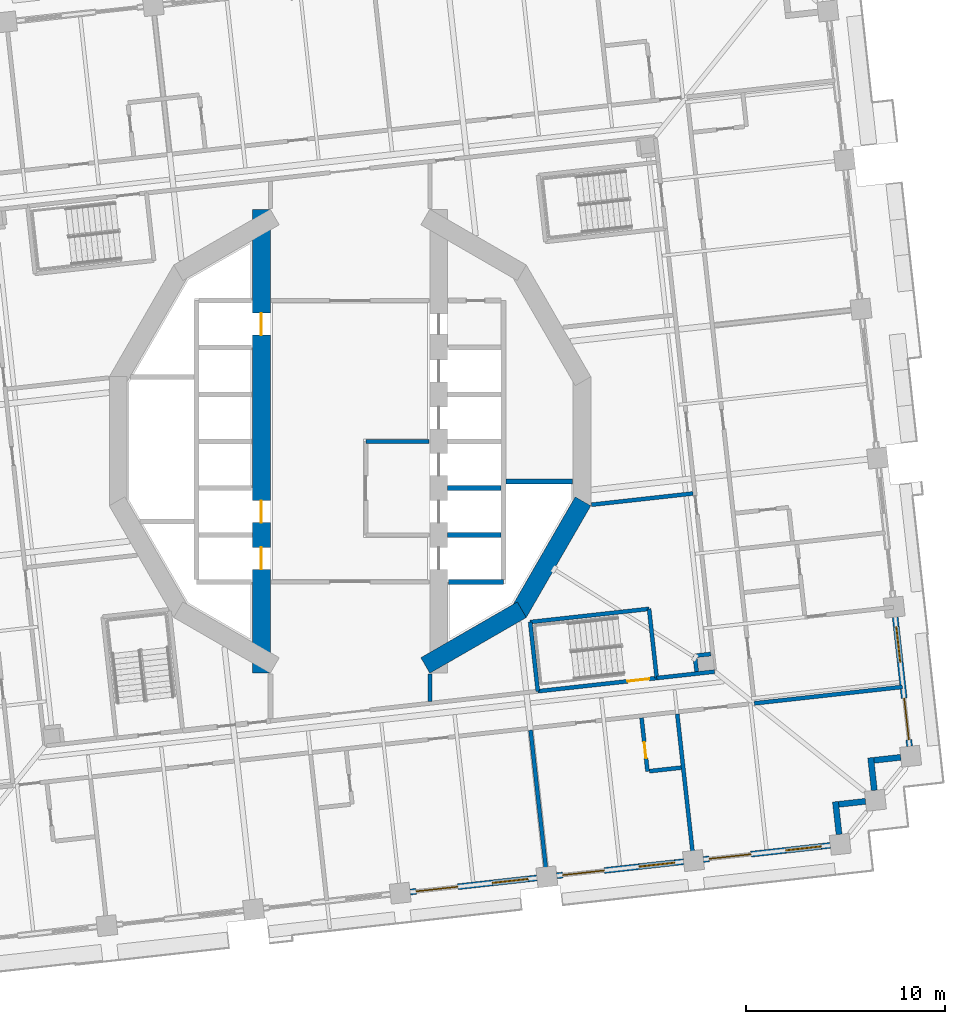
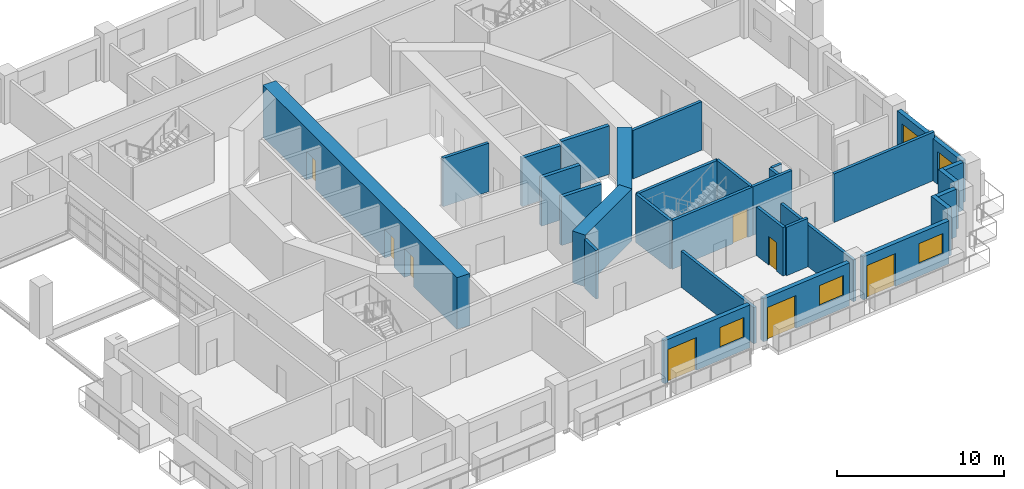
# One storey, part 9 of 21: 30 walls, 9 doors, 4 windows, 13 openings.
"""IFC4 building model written with IfcOpenShell, lengths in metres."""

from ifc_helpers import new_model, si_unit, direction, frame, frame_2d, origin, place, context, subcontext, project, spatial, rectangle, extrude, material, layer, layer_set, type_object, element, fill, save


model = new_model("IFC4")

# Units and contexts
model_context = context("Model", 3, precision=1e-05, world=origin(), true_north=direction((0.0, 1.0)))
body_context = subcontext(model_context, "Body", "Model", "MODEL_VIEW")
ifc_project = project(units=[si_unit("LENGTHUNIT", "METRE"), si_unit("AREAUNIT", "SQUARE_METRE"), si_unit("VOLUMEUNIT", "CUBIC_METRE"), si_unit("PLANEANGLEUNIT", "RADIAN"), si_unit("MASSUNIT", "GRAM", prefix="KILO")], contexts=[model_context])

# Site, building, storey
site_placement = place(None, origin())
site = spatial("IfcSite", under=ifc_project, at=site_placement, CompositionType="ELEMENT")
building_placement = place(site_placement, origin())
building = spatial("IfcBuilding", under=site, at=building_placement, Name="Cantera Rosa Tower", CompositionType="ELEMENT")
storey_placement = place(building_placement, frame((0.0, 0.0, 72.89990234375)))
storey = spatial("IfcBuildingStorey", under=building, at=storey_placement, Name="L15", CompositionType="ELEMENT", Elevation=72.89990234375)

# Walls
ifc_material_1 = material(Name="Gypsum board partition")
ifc_layer_1 = layer(ifc_material_1, 0.199951171875)
ifc_layer_set_1 = layer_set([ifc_layer_1], Name="CORRIDOR WALL 200 H3550")
wall_type_1 = type_object("IfcWallType", Name="CORRIDOR WALL 200 H3550", PredefinedType="PARTITIONING", material=ifc_layer_set_1)
wall_1_placement = place(storey_placement, frame((4.0, -13.038818359375, 0.0), z_axis=(0.0, 0.0, 1.0), x_axis=(0.0, 1.0, 0.0)))
element("IfcWall", 1, at=wall_1_placement, inside=storey, type_object=wall_type_1, Name="CORRIDOR WALL L15-063", PredefinedType="PARTITIONING", context=body_context, shape_type="SweptSolid", body=[
    extrude(rectangle(XDim=1.37158203125, YDim=0.199951171875, at=frame_2d((0.685791015625, 0.0))), origin(), (0.0, 0.0, 1.0), 3.550048828125),
])
wall_2_placement = place(storey_placement, frame((15.382080078125, -11.87548828125, 0.0), z_axis=(0.0, 0.0, 1.0), x_axis=(0.993899009794, 0.110293963256, 0.0)))
element("IfcWall", 2, at=wall_2_placement, inside=storey, type_object=wall_type_1, Name="CORRIDOR WALL L15-089", PredefinedType="PARTITIONING", context=body_context, shape_type="SweptSolid", body=[
    extrude(rectangle(XDim=2.921875, YDim=0.199951171875, at=frame_2d((1.4609375, 0.0))), origin(), (0.0, 0.0, 1.0), 3.550048828125),
])
ifc_material_2 = material(Name="Hollow clay masonry with cantera stone cladding", Category="masonry")
ifc_layer_2 = layer(ifc_material_2, 0.300048828125)
ifc_layer_set_2 = layer_set([ifc_layer_2], Name="EW-LOGGIA 300")
wall_type_2 = type_object("IfcWallType", Name="EW-LOGGIA 300", PredefinedType="SOLIDWALL", material=ifc_layer_set_2)
wall_3_placement = place(storey_placement, frame((24.5244140625, -19.71484375, 0.0), z_axis=(0.0, 0.0, 1.0), x_axis=(-0.110236638423, 0.993905369514, 0.0)))
element("IfcWall", 3, at=wall_3_placement, inside=storey, type_object=wall_type_2, Name="EN-L15-W29a", PredefinedType="SOLIDWALL", context=body_context, shape_type="SweptSolid", body=[
    extrude(rectangle(XDim=1.64990234375, YDim=0.300048828125, at=frame_2d((0.824951171875, 0.0))), origin(), (0.0, 0.0, 1.0), 3.5),
])
wall_4_placement = place(storey_placement, frame((24.508056640625, -18.20751953125, 0.0), z_axis=(0.0, 0.0, 1.0), x_axis=(0.993896959738, 0.110312435488, 0.0)))
element("IfcWall", 4, at=wall_4_placement, inside=storey, type_object=wall_type_2, Name="EN-L15-W29b", PredefinedType="SOLIDWALL", context=body_context, shape_type="SweptSolid", body=[
    extrude(rectangle(XDim=1.35009765625, YDim=0.300048828125, at=frame_2d((0.675048828125, 0.0))), origin(), (0.0, 0.0, 1.0), 3.5),
])
wall_5_placement = place(storey_placement, frame((26.291748046875, -17.506591796875, 0.0), z_axis=(0.0, 0.0, 1.0), x_axis=(-0.110382805355, 0.993889146878, 0.0)))
element("IfcWall", 5, at=wall_5_placement, inside=storey, type_object=wall_type_2, Name="EN-L15-W30a", PredefinedType="SOLIDWALL", context=body_context, shape_type="SweptSolid", body=[
    extrude(rectangle(XDim=1.64990234375, YDim=0.300048828125, at=frame_2d((0.824951171875, 0.0))), origin(), (0.0, 0.0, 1.0), 3.5),
])
wall_6_placement = place(storey_placement, frame((26.275146484375, -15.999267578125, 0.0), z_axis=(0.0, 0.0, 1.0), x_axis=(0.993896959738, 0.110312435488, 0.0)))
element("IfcWall", 6, at=wall_6_placement, inside=storey, type_object=wall_type_2, Name="EN-L15-W30b", PredefinedType="SOLIDWALL", context=body_context, shape_type="SweptSolid", body=[
    extrude(rectangle(XDim=1.35009765625, YDim=0.300048828125, at=frame_2d((0.675048828125, 0.0))), origin(), (0.0, 0.0, 1.0), 3.5),
])

# Wall, openings, window, door
ifc_material_3 = material(Name="Hollow clay masonry with cantera stone cladding", Category="masonry")
ifc_layer_3 = layer(ifc_material_3, 0.300048828125)
ifc_layer_set_3 = layer_set([ifc_layer_3], Name="EW-LOGGIA 300 H3090")
wall_type_3 = type_object("IfcWallType", Name="EW-LOGGIA 300 H3090", PredefinedType="SOLIDWALL", material=ifc_layer_set_3)
wall_7_placement = place(storey_placement, frame((28.058837890625, -15.298095703125, 0.0), z_axis=(0.0, 0.0, 1.0), x_axis=(-0.110312341265, 0.993896970196, 0.0)))
wall_7 = element("IfcWall", 7, at=wall_7_placement, inside=storey, type_object=wall_type_3, Name="EN-L15-W01", PredefinedType="SOLIDWALL", context=body_context, shape_type="SweptSolid", body=[
    extrude(rectangle(XDim=6.52001953125, YDim=0.300048828125, at=frame_2d((3.260009765625, 0.0))), origin(), (0.0, 0.0, 1.0), 3.090087890625),
])
opening_1_placement = place(wall_7_placement, frame((0.330078125, 0.0, 0.0)))
opening_1 = element("IfcOpeningElement", 8, at=opening_1_placement, cuts=wall_7, Name="Opening L15-TD01", PredefinedType="OPENING", context=body_context, shape_type="SweptSolid", body=[
    extrude(rectangle(XDim=2.10009765625, YDim=2.39990234375, at=frame_2d((1.050048828125, 1.199951171875))), frame((0.0, 0.159912109375, 0.0), z_axis=(0.0, -1.0, 0.0), x_axis=(1.0, 0.0, 0.0)), (0.0, 0.0, 1.0), 0.320068359375),
])
opening_2_placement = place(wall_7_placement, frame((4.239990234375, 0.0, 0.89990234375)))
opening_2 = element("IfcOpeningElement", 9, at=opening_2_placement, cuts=wall_7, Name="Opening L15-W02", PredefinedType="OPENING", context=body_context, shape_type="SweptSolid", body=[
    extrude(rectangle(XDim=1.800048828125, YDim=1.5, at=frame_2d((0.89990234375, 0.75))), frame((0.0, 0.159912109375, 0.0), z_axis=(0.0, -1.0, 0.0), x_axis=(1.0, 0.0, 0.0)), (0.0, 0.0, 1.0), 0.320068359375),
])
ifc_material_4 = material(Name="Aluminium frame with clear glass", Category="aluminium")
window_type = type_object("IfcWindowType", Name="Hotel room window 1800x1500", PartitioningType="DOUBLE_PANEL_VERTICAL", PredefinedType="WINDOW", material=ifc_material_4)
window_1_placement = place(opening_2_placement, origin())
window_1 = element("IfcWindow", 10, at=window_1_placement, inside=storey, type_object=window_type, Name="WINDOW L15-W02", OverallHeight=1.5, OverallWidth=1.800048828125, PartitioningType="SINGLE_PANEL", PredefinedType="WINDOW", context=body_context, shape_type="SweptSolid", body=[
    extrude(rectangle(XDim=1.800048828125, YDim=1.5, at=frame_2d((0.89990234375, 0.75))), frame((0.0, 0.030029296875, 0.0), z_axis=(0.0, -1.0, 0.0), x_axis=(1.0, 0.0, 0.0)), (0.0, 0.0, 1.0), 0.06005859375),
])
fill(opening_2, window_1)
ifc_material_5 = material(Name="Aluminium frame with clear glass", Category="aluminium")
door_type_1 = type_object("IfcDoorType", Name="TD-H 2100x2400", OperationType="NOTDEFINED", PredefinedType="DOOR", material=ifc_material_5)
door_1_placement = place(opening_1_placement, origin())
door_1 = element("IfcDoor", 11, at=door_1_placement, inside=storey, type_object=door_type_1, Name="LOGGIA DOOR L15-TD01", OperationType="SLIDING_TO_LEFT", OverallHeight=2.39990234375, OverallWidth=2.10009765625, PredefinedType="DOOR", context=body_context, shape_type="SweptSolid", body=[
    extrude(rectangle(XDim=2.10009765625, YDim=2.39990234375, at=frame_2d((1.050048828125, 1.199951171875))), frame((0.0, 0.02490234375, 0.0), z_axis=(0.0, -1.0, 0.0), x_axis=(1.0, 0.0, 0.0)), (0.0, 0.0, 1.0), 0.050048828125),
])
fill(opening_1, door_1)

ifc_material_6 = material(Name="Hollow clay masonry with cantera stone cladding", Category="masonry")
ifc_layer_4 = layer(ifc_material_6, 0.300048828125)
ifc_layer_set_4 = layer_set([ifc_layer_4], Name="EW-LOGGIA 300 H3140")
wall_type_4 = type_object("IfcWallType", Name="EW-LOGGIA 300 H3140", PredefinedType="SOLIDWALL", material=ifc_layer_set_4)
wall_8_placement = place(storey_placement, frame((3.011962890625, -22.605712890625, 0.0), z_axis=(0.0, 0.0, 1.0), x_axis=(0.993896288542, 0.110318482689, 0.0)))
wall_8 = element("IfcWall", 12, at=wall_8_placement, inside=storey, type_object=wall_type_4, Name="EN-L15-W26", PredefinedType="SOLIDWALL", context=body_context, shape_type="SweptSolid", body=[
    extrude(rectangle(XDim=6.400146484375, YDim=0.300048828125, at=frame_2d((3.2001953125, 0.0))), origin(), (0.0, 0.0, 1.0), 3.14013671875),
])
opening_3_placement = place(wall_8_placement, frame((0.300048828125, 0.0, 0.0)))
opening_3 = element("IfcOpeningElement", 13, at=opening_3_placement, cuts=wall_8, Name="Opening L15-TD35", PredefinedType="OPENING", context=body_context, shape_type="SweptSolid", body=[
    extrude(rectangle(XDim=2.10009765625, YDim=2.39990234375, at=frame_2d((1.050048828125, 1.199951171875))), frame((0.0, 0.159912109375, 0.0), z_axis=(0.0, -1.0, 0.0), x_axis=(1.0, 0.0, 0.0)), (0.0, 0.0, 1.0), 0.320068359375),
])
opening_4_placement = place(wall_8_placement, frame((4.14990234375, 0.0, 0.89990234375)))
opening_4 = element("IfcOpeningElement", 14, at=opening_4_placement, cuts=wall_8, Name="Opening L15-W36", PredefinedType="OPENING", context=body_context, shape_type="SweptSolid", body=[
    extrude(rectangle(XDim=1.800048828125, YDim=1.5, at=frame_2d((0.89990234375, 0.75))), frame((0.0, 0.159912109375, 0.0), z_axis=(0.0, -1.0, 0.0), x_axis=(1.0, 0.0, 0.0)), (0.0, 0.0, 1.0), 0.320068359375),
])
window_2_placement = place(opening_4_placement, origin())
window_2 = element("IfcWindow", 15, at=window_2_placement, inside=storey, type_object=window_type, Name="WINDOW L15-W36", OverallHeight=1.5, OverallWidth=1.800048828125, PartitioningType="SINGLE_PANEL", PredefinedType="WINDOW", context=body_context, shape_type="SweptSolid", body=[
    extrude(rectangle(XDim=1.800048828125, YDim=1.5, at=frame_2d((0.89990234375, 0.75))), frame((0.0, 0.030029296875, 0.0), z_axis=(0.0, -1.0, 0.0), x_axis=(1.0, 0.0, 0.0)), (0.0, 0.0, 1.0), 0.06005859375),
])
fill(opening_4, window_2)
door_2_placement = place(opening_3_placement, origin())
door_2 = element("IfcDoor", 16, at=door_2_placement, inside=storey, type_object=door_type_1, Name="LOGGIA DOOR L15-TD35", OperationType="SLIDING_TO_LEFT", OverallHeight=2.39990234375, OverallWidth=2.10009765625, PredefinedType="DOOR", context=body_context, shape_type="SweptSolid", body=[
    extrude(rectangle(XDim=2.10009765625, YDim=2.39990234375, at=frame_2d((1.050048828125, 1.199951171875))), frame((0.0, 0.02490234375, 0.0), z_axis=(0.0, -1.0, 0.0), x_axis=(1.0, 0.0, 0.0)), (0.0, 0.0, 1.0), 0.050048828125),
])
fill(opening_3, door_2)

wall_9_placement = place(storey_placement, frame((10.366943359375, -21.789306640625, 0.0), z_axis=(0.0, 0.0, 1.0), x_axis=(0.993900006422, 0.110284981906, 0.0)))
wall_9 = element("IfcWall", 17, at=wall_9_placement, inside=storey, type_object=wall_type_4, Name="EN-L15-W27", PredefinedType="SOLIDWALL", context=body_context, shape_type="SweptSolid", body=[
    extrude(rectangle(XDim=6.39990234375, YDim=0.300048828125, at=frame_2d((3.199951171875, 0.0))), origin(), (0.0, 0.0, 1.0), 3.14013671875),
])
opening_5_placement = place(wall_9_placement, frame((0.300048828125, 0.0, 0.0)))
opening_5 = element("IfcOpeningElement", 18, at=opening_5_placement, cuts=wall_9, Name="Opening L15-TD37", PredefinedType="OPENING", context=body_context, shape_type="SweptSolid", body=[
    extrude(rectangle(XDim=2.10009765625, YDim=2.39990234375, at=frame_2d((1.050048828125, 1.199951171875))), frame((0.0, 0.159912109375, 0.0), z_axis=(0.0, -1.0, 0.0), x_axis=(1.0, 0.0, 0.0)), (0.0, 0.0, 1.0), 0.320068359375),
])
opening_6_placement = place(wall_9_placement, frame((4.14990234375, 0.0, 0.89990234375)))
opening_6 = element("IfcOpeningElement", 19, at=opening_6_placement, cuts=wall_9, Name="Opening L15-W38", PredefinedType="OPENING", context=body_context, shape_type="SweptSolid", body=[
    extrude(rectangle(XDim=1.800048828125, YDim=1.5, at=frame_2d((0.89990234375, 0.75))), frame((0.0, 0.159912109375, 0.0), z_axis=(0.0, -1.0, 0.0), x_axis=(1.0, 0.0, 0.0)), (0.0, 0.0, 1.0), 0.320068359375),
])
window_3_placement = place(opening_6_placement, origin())
window_3 = element("IfcWindow", 20, at=window_3_placement, inside=storey, type_object=window_type, Name="WINDOW L15-W38", OverallHeight=1.5, OverallWidth=1.800048828125, PartitioningType="SINGLE_PANEL", PredefinedType="WINDOW", context=body_context, shape_type="SweptSolid", body=[
    extrude(rectangle(XDim=1.800048828125, YDim=1.5, at=frame_2d((0.89990234375, 0.75))), frame((0.0, 0.030029296875, 0.0), z_axis=(0.0, -1.0, 0.0), x_axis=(1.0, 0.0, 0.0)), (0.0, 0.0, 1.0), 0.06005859375),
])
fill(opening_6, window_3)
door_3_placement = place(opening_5_placement, origin())
door_3 = element("IfcDoor", 21, at=door_3_placement, inside=storey, type_object=door_type_1, Name="LOGGIA DOOR L15-TD37", OperationType="SLIDING_TO_LEFT", OverallHeight=2.39990234375, OverallWidth=2.10009765625, PredefinedType="DOOR", context=body_context, shape_type="SweptSolid", body=[
    extrude(rectangle(XDim=2.10009765625, YDim=2.39990234375, at=frame_2d((1.050048828125, 1.199951171875))), frame((0.0, 0.02490234375, 0.0), z_axis=(0.0, -1.0, 0.0), x_axis=(1.0, 0.0, 0.0)), (0.0, 0.0, 1.0), 0.050048828125),
])
fill(opening_5, door_3)

wall_10_placement = place(storey_placement, frame((17.7216796875, -20.97314453125, 0.0), z_axis=(0.0, 0.0, 1.0), x_axis=(0.993896288542, 0.110318482689, 0.0)))
wall_10 = element("IfcWall", 22, at=wall_10_placement, inside=storey, type_object=wall_type_4, Name="EN-L15-W28", PredefinedType="SOLIDWALL", context=body_context, shape_type="SweptSolid", body=[
    extrude(rectangle(XDim=6.400146484375, YDim=0.300048828125, at=frame_2d((3.2001953125, 0.0))), origin(), (0.0, 0.0, 1.0), 3.14013671875),
])
opening_7_placement = place(wall_10_placement, frame((0.300048828125, 0.0, 0.0)))
opening_7 = element("IfcOpeningElement", 23, at=opening_7_placement, cuts=wall_10, Name="Opening L15-TD39", PredefinedType="OPENING", context=body_context, shape_type="SweptSolid", body=[
    extrude(rectangle(XDim=2.10009765625, YDim=2.39990234375, at=frame_2d((1.050048828125, 1.199951171875))), frame((0.0, 0.159912109375, 0.0), z_axis=(0.0, -1.0, 0.0), x_axis=(1.0, 0.0, 0.0)), (0.0, 0.0, 1.0), 0.320068359375),
])
opening_8_placement = place(wall_10_placement, frame((4.14990234375, 0.0, 0.89990234375)))
opening_8 = element("IfcOpeningElement", 24, at=opening_8_placement, cuts=wall_10, Name="Opening L15-W40", PredefinedType="OPENING", context=body_context, shape_type="SweptSolid", body=[
    extrude(rectangle(XDim=1.800048828125, YDim=1.5, at=frame_2d((0.89990234375, 0.75))), frame((0.0, 0.159912109375, 0.0), z_axis=(0.0, -1.0, 0.0), x_axis=(1.0, 0.0, 0.0)), (0.0, 0.0, 1.0), 0.320068359375),
])
window_4_placement = place(opening_8_placement, origin())
window_4 = element("IfcWindow", 25, at=window_4_placement, inside=storey, type_object=window_type, Name="WINDOW L15-W40", OverallHeight=1.5, OverallWidth=1.800048828125, PartitioningType="SINGLE_PANEL", PredefinedType="WINDOW", context=body_context, shape_type="SweptSolid", body=[
    extrude(rectangle(XDim=1.800048828125, YDim=1.5, at=frame_2d((0.89990234375, 0.75))), frame((0.0, 0.030029296875, 0.0), z_axis=(0.0, -1.0, 0.0), x_axis=(1.0, 0.0, 0.0)), (0.0, 0.0, 1.0), 0.06005859375),
])
fill(opening_8, window_4)
door_4_placement = place(opening_7_placement, origin())
door_4 = element("IfcDoor", 26, at=door_4_placement, inside=storey, type_object=door_type_1, Name="LOGGIA DOOR L15-TD39", OperationType="SLIDING_TO_LEFT", OverallHeight=2.39990234375, OverallWidth=2.10009765625, PredefinedType="DOOR", context=body_context, shape_type="SweptSolid", body=[
    extrude(rectangle(XDim=2.10009765625, YDim=2.39990234375, at=frame_2d((1.050048828125, 1.199951171875))), frame((0.0, 0.02490234375, 0.0), z_axis=(0.0, -1.0, 0.0), x_axis=(1.0, 0.0, 0.0)), (0.0, 0.0, 1.0), 0.050048828125),
])
fill(opening_7, door_4)

# Wall, opening, door
ifc_material_7 = material(Name="Gypsum board partition")
ifc_layer_5 = layer(ifc_material_7, 0.199951171875)
ifc_layer_set_5 = layer_set([ifc_layer_5], Name="PARTITION 200 H3550")
wall_type_5 = type_object("IfcWallType", Name="PARTITION 200 H3550", PredefinedType="PARTITIONING", material=ifc_layer_set_5)
wall_11_placement = place(storey_placement, frame((14.917236328125, -16.555419921875, 0.0), z_axis=(0.0, 0.0, 1.0), x_axis=(-0.110312435488, 0.993896959738, 0.0)))
wall_11 = element("IfcWall", 27, at=wall_11_placement, inside=storey, type_object=wall_type_5, Name="PARTITION L15-085", PredefinedType="PARTITIONING", context=body_context, shape_type="SweptSolid", body=[
    extrude(rectangle(XDim=2.699951171875, YDim=0.199951171875, at=frame_2d((1.35009765625, 0.0))), origin(), (0.0, 0.0, 1.0), 3.550048828125),
])
opening_9_placement = place(wall_11_placement, frame((0.6640625, 0.0, 0.0)))
opening_9 = element("IfcOpeningElement", 28, at=opening_9_placement, cuts=wall_11, Name="Opening L15-041", PredefinedType="OPENING", context=body_context, shape_type="SweptSolid", body=[
    extrude(rectangle(XDim=0.800048828125, YDim=2.10009765625, at=frame_2d((0.39990234375, 1.050048828125))), frame((0.0, 0.10986328125, 0.0), z_axis=(0.0, -1.0, 0.0), x_axis=(1.0, 0.0, 0.0)), (0.0, 0.0, 1.0), 0.219970703125),
])
ifc_material_8 = material(Name="Timber door leaf", Category="wood")
door_type_2 = type_object("IfcDoorType", Name="BATHROOM DOOR 800x2100", OperationType="NOTDEFINED", PredefinedType="DOOR", material=ifc_material_8)
door_5_placement = place(opening_9_placement, origin())
door_5 = element("IfcDoor", 29, at=door_5_placement, inside=storey, type_object=door_type_2, Name="DOOR L15-041", OperationType="NOTDEFINED", OverallHeight=2.10009765625, OverallWidth=0.800048828125, PredefinedType="DOOR", context=body_context, shape_type="SweptSolid", body=[
    extrude(rectangle(XDim=0.800048828125, YDim=2.10009765625, at=frame_2d((0.39990234375, 1.050048828125))), frame((0.0, 0.02490234375, 0.0), z_axis=(0.0, -1.0, 0.0), x_axis=(1.0, 0.0, 0.0)), (0.0, 0.0, 1.0), 0.050048828125),
])
fill(opening_9, door_5)

# Walls
wall_12_placement = place(storey_placement, frame((16.60693359375, -16.367919921875, 0.0), z_axis=(0.0, 0.0, 1.0), x_axis=(-0.99389675276, -0.110314300314, 0.0)))
element("IfcWall", 30, at=wall_12_placement, inside=storey, type_object=wall_type_5, Name="PARTITION L15-094", PredefinedType="PARTITIONING", context=body_context, shape_type="SweptSolid", body=[
    extrude(rectangle(XDim=1.60009765625, YDim=0.199951171875, at=frame_2d((0.800048828125, 0.0))), origin(), (0.0, 0.0, 1.0), 3.550048828125),
])
wall_13_placement = place(storey_placement, frame((17.292236328125, -10.758056640625, 0.0), z_axis=(0.0, 0.0, 1.0), x_axis=(0.110465018303, -0.993880012744, 0.0)))
element("IfcWall", 31, at=wall_13_placement, inside=storey, type_object=wall_type_5, Name="PARTITION L15-097", PredefinedType="PARTITIONING", context=body_context, shape_type="SweptSolid", body=[
    extrude(rectangle(XDim=0.800048828125, YDim=0.199951171875, at=frame_2d((0.39990234375, 0.0))), origin(), (0.0, 0.0, 1.0), 3.550048828125),
])
wall_14_placement = place(storey_placement, frame((17.19384765625, -2.619384765625, 0.0), z_axis=(0.0, 0.0, 1.0), x_axis=(-0.993901744429, -0.110269317674, 0.0)))
element("IfcWall", 32, at=wall_14_placement, inside=storey, type_object=wall_type_5, Name="PARTITION L15-098", PredefinedType="PARTITIONING", context=body_context, shape_type="SweptSolid", body=[
    extrude(rectangle(XDim=5.12109375, YDim=0.199951171875, at=frame_2d((2.560546875, 0.0))), origin(), (0.0, 0.0, 1.0), 3.550048828125),
])
wall_15_placement = place(storey_placement, frame((18.08740234375, -10.669921875, 0.0), z_axis=(0.0, 0.0, 1.0), x_axis=(-0.993909225707, -0.110201865026, 0.0)))
element("IfcWall", 33, at=wall_15_placement, inside=storey, type_object=wall_type_5, Name="PARTITION L15-100", PredefinedType="PARTITIONING", context=body_context, shape_type="SweptSolid", body=[
    extrude(rectangle(XDim=0.699951171875, YDim=0.199951171875, at=frame_2d((0.35009765625, 0.0))), origin(), (0.0, 0.0, 1.0), 3.550048828125),
])
ifc_material_9 = material(Name="Gypsum board partition")
ifc_layer_6 = layer(ifc_material_9, 0.199951171875)
ifc_layer_set_6 = layer_set([ifc_layer_6], Name="PARTY WALL 200 H2650")
wall_type_6 = type_object("IfcWallType", Name="PARTY WALL 200 H2650", PredefinedType="PARTITIONING", material=ifc_layer_set_6)
wall_16_placement = place(storey_placement, frame((9.0537109375, -14.48974609375, 0.0), z_axis=(0.0, 0.0, 1.0), x_axis=(0.11031154238, -0.993897058864, 0.0)))
element("IfcWall", 34, at=wall_16_placement, inside=storey, type_object=wall_type_6, Name="PARTY WALL L15-075", PredefinedType="PARTITIONING", context=body_context, shape_type="SweptSolid", body=[
    extrude(rectangle(XDim=7.369873046875, YDim=0.199951171875, at=frame_2d((3.68505859375, 0.0))), origin(), (0.0, 0.0, 1.0), 2.650146484375),
])
ifc_material_10 = material(Name="Gypsum board partition")
ifc_layer_7 = layer(ifc_material_10, 0.199951171875)
ifc_layer_set_7 = layer_set([ifc_layer_7], Name="PARTY WALL 200 H3050")
wall_type_7 = type_object("IfcWallType", Name="PARTY WALL 200 H3050", PredefinedType="PARTITIONING", material=ifc_layer_set_7)
wall_17_placement = place(storey_placement, frame((16.408447265625, -13.67333984375, 0.0), z_axis=(0.0, 0.0, 1.0), x_axis=(0.11031154238, -0.993897058864, 0.0)))
element("IfcWall", 35, at=wall_17_placement, inside=storey, type_object=wall_type_7, Name="PARTY WALL L15-093", PredefinedType="PARTITIONING", context=body_context, shape_type="SweptSolid", body=[
    extrude(rectangle(XDim=7.369873046875, YDim=0.199951171875, at=frame_2d((3.68505859375, 0.0))), origin(), (0.0, 0.0, 1.0), 3.050048828125),
])
ifc_material_11 = material(Name="Gypsum board partition")
ifc_layer_8 = layer(ifc_material_11, 0.199951171875)
ifc_layer_set_8 = layer_set([ifc_layer_8], Name="PARTY WALL 200 H3550")
wall_type_8 = type_object("IfcWallType", Name="PARTY WALL 200 H3550", PredefinedType="PARTITIONING", material=ifc_layer_set_8)
wall_18_placement = place(storey_placement, frame((27.697998046875, -12.319580078125, 0.0), z_axis=(0.0, 0.0, 1.0), x_axis=(-0.993894093242, -0.110338259085, 0.0)))
element("IfcWall", 36, at=wall_18_placement, inside=storey, type_object=wall_type_8, Name="PARTY WALL L15-111", PredefinedType="PARTITIONING", context=body_context, shape_type="SweptSolid", body=[
    extrude(rectangle(XDim=7.469970703125, YDim=0.199951171875, at=frame_2d((3.73486328125, 0.0))), origin(), (0.0, 0.0, 1.0), 3.550048828125),
])

# Wall, openings, doors
ifc_material_12 = material(Name="Concrete C70/85", Category="concrete")
ifc_layer_9 = layer(ifc_material_12, 0.89990234375)
ifc_layer_set_9 = layer_set([ifc_layer_9], Name="RC CORE WALL 900 C70/85")
wall_type_9 = type_object("IfcWallType", Name="RC CORE WALL 900 C70/85", PredefinedType="SHEAR", material=ifc_layer_set_9)
wall_19_placement = place(storey_placement, frame((-4.449951171875, 11.632568359375, 0.0), z_axis=(0.0, 0.0, 1.0), x_axis=(0.0, -1.0, 0.0)))
wall_19 = element("IfcWall", 37, at=wall_19_placement, inside=storey, type_object=wall_type_9, Name="CW-W6 L15", PredefinedType="SHEAR", context=body_context, shape_type="SweptSolid", body=[
    extrude(rectangle(XDim=23.26513671875, YDim=0.89990234375, at=frame_2d((11.632568359375, 0.0))), origin(), (0.0, 0.0, 1.0), 3.800048828125),
])
opening_10_placement = place(wall_19_placement, frame((14.607421875, 0.0, 0.0)))
opening_10 = element("IfcOpeningElement", 38, at=opening_10_placement, cuts=wall_19, Name="Opening LD-P3-L15", PredefinedType="OPENING", context=body_context, shape_type="SweptSolid", body=[
    extrude(rectangle(XDim=1.10009765625, YDim=2.10009765625, at=frame_2d((0.550048828125, 1.050048828125))), frame((0.0, 0.4599609375, 0.0), z_axis=(0.0, -1.0, 0.0), x_axis=(1.0, 0.0, 0.0)), (0.0, 0.0, 1.0), 0.919921875),
])
opening_11_placement = place(wall_19_placement, frame((16.95751953125, 0.0, 0.0)))
opening_11 = element("IfcOpeningElement", 39, at=opening_11_placement, cuts=wall_19, Name="Opening LD-P4-L15", PredefinedType="OPENING", context=body_context, shape_type="SweptSolid", body=[
    extrude(rectangle(XDim=1.10009765625, YDim=2.10009765625, at=frame_2d((0.550048828125, 1.050048828125))), frame((0.0, 0.4599609375, 0.0), z_axis=(0.0, -1.0, 0.0), x_axis=(1.0, 0.0, 0.0)), (0.0, 0.0, 1.0), 0.919921875),
])
opening_12_placement = place(wall_19_placement, frame((5.20751953125, 0.0, 0.0)))
opening_12 = element("IfcOpeningElement", 40, at=opening_12_placement, cuts=wall_19, Name="Opening LD-P5-L15", PredefinedType="OPENING", context=body_context, shape_type="SweptSolid", body=[
    extrude(rectangle(XDim=1.10009765625, YDim=2.10009765625, at=frame_2d((0.550048828125, 1.050048828125))), frame((0.0, 0.4599609375, 0.0), z_axis=(0.0, -1.0, 0.0), x_axis=(1.0, 0.0, 0.0)), (0.0, 0.0, 1.0), 0.919921875),
])
ifc_material_13 = material(Name="Steel S355J2 (EN 10025-2)", Category="steel")
door_type_3 = type_object("IfcDoorType", Name="LANDING DOOR 1100x2100", OperationType="NOTDEFINED", PredefinedType="DOOR", material=ifc_material_13)
door_6_placement = place(opening_10_placement, origin())
door_6 = element("IfcDoor", 41, at=door_6_placement, inside=storey, type_object=door_type_3, Name="LANDING DOOR P3 L15", OperationType="SLIDING_TO_LEFT", OverallHeight=2.10009765625, OverallWidth=1.10009765625, PredefinedType="DOOR", context=body_context, shape_type="SweptSolid", body=[
    extrude(rectangle(XDim=1.10009765625, YDim=2.10009765625, at=frame_2d((0.550048828125, 1.050048828125))), frame((0.0, 0.02490234375, 0.0), z_axis=(0.0, -1.0, 0.0), x_axis=(1.0, 0.0, 0.0)), (0.0, 0.0, 1.0), 0.050048828125),
])
fill(opening_10, door_6)
door_7_placement = place(opening_11_placement, origin())
door_7 = element("IfcDoor", 42, at=door_7_placement, inside=storey, type_object=door_type_3, Name="LANDING DOOR P4 L15", OperationType="SLIDING_TO_LEFT", OverallHeight=2.10009765625, OverallWidth=1.10009765625, PredefinedType="DOOR", context=body_context, shape_type="SweptSolid", body=[
    extrude(rectangle(XDim=1.10009765625, YDim=2.10009765625, at=frame_2d((0.550048828125, 1.050048828125))), frame((0.0, 0.02490234375, 0.0), z_axis=(0.0, -1.0, 0.0), x_axis=(1.0, 0.0, 0.0)), (0.0, 0.0, 1.0), 0.050048828125),
])
fill(opening_11, door_7)
door_8_placement = place(opening_12_placement, origin())
door_8 = element("IfcDoor", 43, at=door_8_placement, inside=storey, type_object=door_type_3, Name="LANDING DOOR P5 L15", OperationType="SLIDING_TO_LEFT", OverallHeight=2.10009765625, OverallWidth=1.10009765625, PredefinedType="DOOR", context=body_context, shape_type="SweptSolid", body=[
    extrude(rectangle(XDim=1.10009765625, YDim=2.10009765625, at=frame_2d((0.550048828125, 1.050048828125))), frame((0.0, 0.02490234375, 0.0), z_axis=(0.0, -1.0, 0.0), x_axis=(1.0, 0.0, 0.0)), (0.0, 0.0, 1.0), 0.050048828125),
])
fill(opening_12, door_8)

# Walls
wall_20_placement = place(storey_placement, frame((11.684326171875, -3.01025390625, 0.0), z_axis=(0.0, 0.0, 1.0), x_axis=(-0.499990282633, -0.866031014036, 0.0)))
element("IfcWall", 44, at=wall_20_placement, inside=storey, type_object=wall_type_9, Name="CW-E4 L15", PredefinedType="SHEAR", context=body_context, shape_type="SweptSolid", body=[
    extrude(rectangle(XDim=6.470458984375, YDim=0.89990234375, at=frame_2d((3.2353515625, 0.0))), origin(), (0.0, 0.0, 1.0), 3.800048828125),
])
wall_21_placement = place(storey_placement, frame((8.61376953125, -8.44921875, 0.0), z_axis=(0.0, 0.0, 1.0), x_axis=(-0.866026961591, -0.49999730179, 0.0)))
element("IfcWall", 45, at=wall_21_placement, inside=storey, type_object=wall_type_9, Name="CW-E5 L15", PredefinedType="SHEAR", context=body_context, shape_type="SweptSolid", body=[
    extrude(rectangle(XDim=5.58740234375, YDim=0.89990234375, at=frame_2d((2.793701171875, 0.0))), origin(), (0.0, 0.0, 1.0), 3.800048828125),
])
ifc_material_14 = material(Name="Masonry blockwork", Category="masonry")
ifc_layer_10 = layer(ifc_material_14, 0.25)
ifc_layer_set_10 = layer_set([ifc_layer_10], Name="SHAFT WALL 250 H3550")
wall_type_10 = type_object("IfcWallType", Name="SHAFT WALL 250 H3550", PredefinedType="SOLIDWALL", material=ifc_layer_set_10)
wall_22_placement = place(storey_placement, frame((4.89990234375, -4.699951171875, 0.0), z_axis=(0.0, 0.0, 1.0), x_axis=(1.0, 0.0, 0.0)))
element("IfcWall", 46, at=wall_22_placement, inside=storey, type_object=wall_type_10, Name="SHAFT WALL L15-065", PredefinedType="SOLIDWALL", context=body_context, shape_type="SweptSolid", body=[
    extrude(rectangle(XDim=2.675048828125, YDim=0.25, at=frame_2d((1.33740234375, 0.0))), origin(), (0.0, 0.0, 1.0), 3.550048828125),
])
wall_23_placement = place(storey_placement, frame((4.929931640625, -7.050048828125, 0.0), z_axis=(0.0, 0.0, 1.0), x_axis=(1.0, 0.0, 0.0)))
element("IfcWall", 47, at=wall_23_placement, inside=storey, type_object=wall_type_10, Name="SHAFT WALL L15-067", PredefinedType="SOLIDWALL", context=body_context, shape_type="SweptSolid", body=[
    extrude(rectangle(XDim=2.77001953125, YDim=0.25, at=frame_2d((1.385009765625, 0.0))), origin(), (0.0, 0.0, 1.0), 3.550048828125),
])
wall_24_placement = place(storey_placement, frame((7.574951171875, -2.35009765625, 0.0), z_axis=(0.0, 0.0, 1.0), x_axis=(-1.0, 0.0, 0.0)))
element("IfcWall", 48, at=wall_24_placement, inside=storey, type_object=wall_type_10, Name="SHAFT WALL L15-069", PredefinedType="SOLIDWALL", context=body_context, shape_type="SweptSolid", body=[
    extrude(rectangle(XDim=2.675048828125, YDim=0.25, at=frame_2d((1.33740234375, 0.0))), origin(), (0.0, 0.0, 1.0), 3.550048828125),
])
wall_25_placement = place(storey_placement, frame((7.824951171875, -2.0146484375, 0.0), z_axis=(0.0, 0.0, 1.0), x_axis=(1.0, 0.0, 0.0)))
element("IfcWall", 49, at=wall_25_placement, inside=storey, type_object=wall_type_10, Name="SHAFT WALL L15-070", PredefinedType="SOLIDWALL", context=body_context, shape_type="SweptSolid", body=[
    extrude(rectangle(XDim=3.319091796875, YDim=0.25, at=frame_2d((1.65966796875, 0.0))), origin(), (0.0, 0.0, 1.0), 3.550048828125),
])
ifc_material_15 = material(Name="Concrete C50/60", Category="concrete")
ifc_layer_11 = layer(ifc_material_15, 0.199951171875)
ifc_layer_set_11 = layer_set([ifc_layer_11], Name="STAIR WALL 200 H3550")
wall_type_11 = type_object("IfcWallType", Name="STAIR WALL 200 H3550", PredefinedType="SOLIDWALL", material=ifc_layer_set_11)
wall_26_placement = place(storey_placement, frame((0.800048828125, 0.0, 0.0), z_axis=(0.0, 0.0, 1.0), x_axis=(1.0, 0.0, 0.0)))
element("IfcWall", 50, at=wall_26_placement, inside=storey, type_object=wall_type_11, Name="STAIR WALL L15-059", PredefinedType="SOLIDWALL", context=body_context, shape_type="SweptSolid", body=[
    extrude(rectangle(XDim=3.169921875, YDim=0.199951171875, at=frame_2d((1.5849609375, 0.0))), origin(), (0.0, 0.0, 1.0), 3.550048828125),
])
wall_27_placement = place(storey_placement, frame((9.033447265625, -9.066162109375, 0.0), z_axis=(0.0, 0.0, 1.0), x_axis=(0.11030110325, -0.993898217436, 0.0)))
element("IfcWall", 51, at=wall_27_placement, inside=storey, type_object=wall_type_11, Name="STAIR WALL L15-074", PredefinedType="SOLIDWALL", context=body_context, shape_type="SweptSolid", body=[
    extrude(rectangle(XDim=3.49267578125, YDim=0.199951171875, at=frame_2d((1.746337890625, 0.0))), origin(), (0.0, 0.0, 1.0), 3.550048828125),
])

# Wall, opening, door
wall_28_placement = place(storey_placement, frame((9.418701171875, -12.53759765625, 0.0), z_axis=(0.0, 0.0, 1.0), x_axis=(0.993892663362, 0.110351138256, 0.0)))
wall_28 = element("IfcWall", 52, at=wall_28_placement, inside=storey, type_object=wall_type_11, Name="STAIR WALL L15-076", PredefinedType="SOLIDWALL", context=body_context, shape_type="SweptSolid", body=[
    extrude(rectangle(XDim=6.0, YDim=0.199951171875, at=frame_2d((3.0, 0.0))), origin(), (0.0, 0.0, 1.0), 3.550048828125),
])
opening_13_placement = place(wall_28_placement, frame((4.52490234375, 0.0, 0.0)))
opening_13 = element("IfcOpeningElement", 53, at=opening_13_placement, cuts=wall_28, Name="Opening L15-004", PredefinedType="OPENING", context=body_context, shape_type="SweptSolid", body=[
    extrude(rectangle(XDim=1.10009765625, YDim=2.10009765625, at=frame_2d((0.550048828125, 1.050048828125))), frame((0.0, 0.10986328125, 0.0), z_axis=(0.0, -1.0, 0.0), x_axis=(1.0, 0.0, 0.0)), (0.0, 0.0, 1.0), 0.219970703125),
])
ifc_material_16 = material(Name="Steel S355J2 (EN 10025-2)", Category="steel")
door_type_4 = type_object("IfcDoorType", Name="STAIR DOOR 1100x2100", OperationType="NOTDEFINED", PredefinedType="DOOR", material=ifc_material_16)
door_9_placement = place(opening_13_placement, origin())
door_9 = element("IfcDoor", 54, at=door_9_placement, inside=storey, type_object=door_type_4, Name="DOOR L15-004", OperationType="NOTDEFINED", OverallHeight=2.10009765625, OverallWidth=1.10009765625, PredefinedType="DOOR", context=body_context, shape_type="SweptSolid", body=[
    extrude(rectangle(XDim=1.10009765625, YDim=2.10009765625, at=frame_2d((0.550048828125, 1.050048828125))), frame((0.0, 0.02490234375, 0.0), z_axis=(0.0, -1.0, 0.0), x_axis=(1.0, 0.0, 0.0)), (0.0, 0.0, 1.0), 0.050048828125),
])
fill(opening_13, door_9)

# Walls
wall_29_placement = place(storey_placement, frame((14.996826171875, -8.404296875, 0.0), z_axis=(0.0, 0.0, 1.0), x_axis=(-0.993897125329, -0.110310943534, 0.0)))
element("IfcWall", 55, at=wall_29_placement, inside=storey, type_object=wall_type_11, Name="STAIR WALL L15-086", PredefinedType="SOLIDWALL", context=body_context, shape_type="SweptSolid", body=[
    extrude(rectangle(XDim=6.0, YDim=0.199951171875, at=frame_2d((3.0, 0.0))), origin(), (0.0, 0.0, 1.0), 3.550048828125),
])
wall_30_placement = place(storey_placement, frame((15.382080078125, -11.87548828125, 0.0), z_axis=(0.0, 0.0, 1.0), x_axis=(-0.110308766705, 0.993897366929, 0.0)))
element("IfcWall", 56, at=wall_30_placement, inside=storey, type_object=wall_type_11, Name="STAIR WALL L15-088", PredefinedType="SOLIDWALL", context=body_context, shape_type="SweptSolid", body=[
    extrude(rectangle(XDim=3.492431640625, YDim=0.199951171875, at=frame_2d((1.74609375, 0.0))), origin(), (0.0, 0.0, 1.0), 3.550048828125),
])

save(model, "model.ifc")
